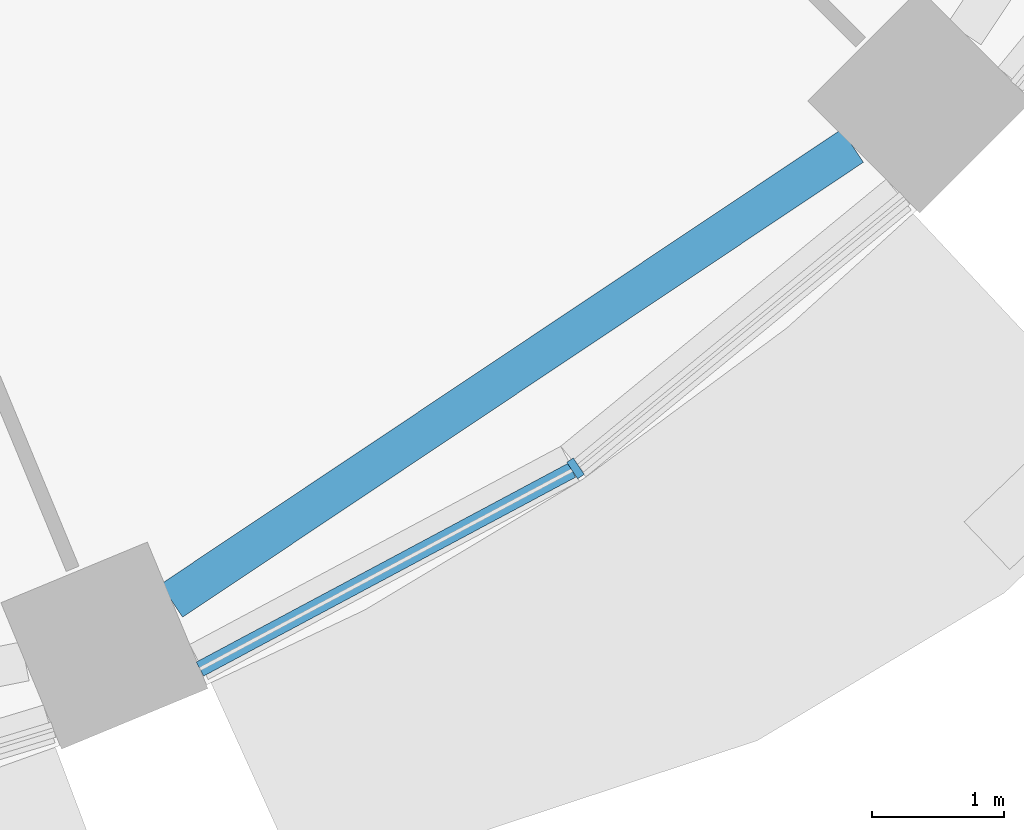
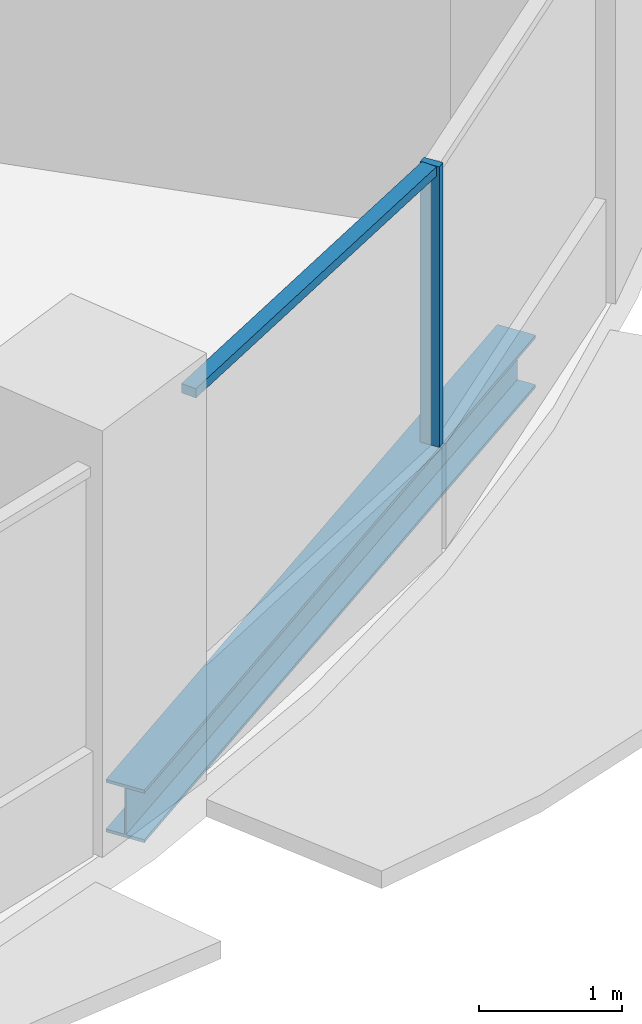
# One storey, part 3 of 15: 2 members, 1 beam, 1 element without a shape of its own.
"""IFC4 building model written with IfcOpenShell, lengths in metres."""

from ifc_helpers import new_model, si_unit, direction, frame, origin, origin_2d, place, context, subcontext, project, spatial, rectangle, i_section, extrude, material, material_profile, profile_set, type_object, element, aggregate, save


model = new_model("IFC4")

# Units and contexts
model_context = context("Model", 3, precision=1e-05, world=origin(), true_north=direction((0.0, 1.0)))
body_context = subcontext(model_context, "Body", "Model", "MODEL_VIEW")
ifc_project = project(units=[si_unit("LENGTHUNIT", "METRE"), si_unit("AREAUNIT", "SQUARE_METRE"), si_unit("VOLUMEUNIT", "CUBIC_METRE"), si_unit("PLANEANGLEUNIT", "RADIAN"), si_unit("MASSUNIT", "GRAM", prefix="KILO")], contexts=[model_context])

# Site, building, storey
site_placement = place(None, origin())
site = spatial("IfcSite", under=ifc_project, at=site_placement, CompositionType="ELEMENT")
building_placement = place(site_placement, origin())
building = spatial("IfcBuilding", under=site, at=building_placement, Name="Polderwave Tower", CompositionType="ELEMENT")
storey_placement = place(building_placement, frame((0.0, 0.0, 48.10009765625)))
storey = spatial("IfcBuildingStorey", under=building, at=storey_placement, Name="L12", CompositionType="ELEMENT", Elevation=48.10009765625)

# Curtain wall, members
ifc_material_1 = material(Name="Aluminium 6063-T6 and glass", Category="aluminium")
curtain_wall_type = type_object("IfcCurtainWallType", Name="Growing floor ribbon glazing wall", PredefinedType="NOTDEFINED", material=ifc_material_1)
curtain_wall_placement = place(storey_placement, origin())
curtain_wall = element("IfcCurtainWall", 1, at=curtain_wall_placement, inside=storey, type_object=curtain_wall_type, Name="CW2 L12 13", PredefinedType="NOTDEFINED")
ifc_material_2 = material(Name="Aluminium 6063-T6", Category="aluminium")
ifc_material_profile_1 = material_profile(ifc_material_2, rectangle(XDim=0.14990234375, YDim=0.06005859375, at=origin_2d()), Name="AL 60x150")
ifc_profile_set_1 = profile_set([ifc_material_profile_1], Name="Aluminium 6063-T6")
member_type_1 = type_object("IfcMemberType", Name="Growing floor ribbon glazing mullion 60x150", PredefinedType="MULLION", material=ifc_profile_set_1)
member_1_placement = place(storey_placement, frame((10.85009765625, -16.239013671875, 0.89990234375), z_axis=(0.0, 0.0, 1.0), x_axis=(-0.555576037759, 0.83146573367, 0.0)))
member_1 = element("IfcMember", 2, at=member_1_placement, type_object=member_type_1, Name="CW2 mullion 1", PredefinedType="MULLION", context=body_context, shape_type="SweptSolid", body=[
    extrude(rectangle(XDim=0.14990234375, YDim=0.06005859375, at=origin_2d()), origin(), (0.0, 0.0, 1.0), 2.39990234375),
])
ifc_material_profile_2 = material_profile(ifc_material_2, rectangle(XDim=0.1201171875, YDim=0.080078125, at=origin_2d()), Name="AL 80x120")
ifc_profile_set_2 = profile_set([ifc_material_profile_2], Name="Aluminium 6063-T6")
member_type_2 = type_object("IfcMemberType", Name="Growing floor ribbon glazing transom 80x120", PredefinedType="USERDEFINED", material=ifc_profile_set_2)
member_2_placement = place(storey_placement, frame((8.006103515625, -17.759033203125, 3.260009765625), z_axis=(0.881929477556, 0.471381370673, 0.0), x_axis=(-0.471381370673, 0.881929477556, 0.0)))
member_2 = element("IfcMember", 3, at=member_2_placement, type_object=member_type_2, Name="CW2 transom 1", ObjectType="TRANSOM", PredefinedType="USERDEFINED", context=body_context, shape_type="SweptSolid", body=[
    extrude(rectangle(XDim=0.1201171875, YDim=0.080078125, at=origin_2d()), origin(), (0.0, 0.0, 1.0), 3.194580078125),
])
aggregate(curtain_wall, [member_1, member_2])

# Beam
ifc_material_3 = material(Name="Steel S355", Category="steel")
ifc_material_profile_3 = material_profile(ifc_material_3, i_section(OverallWidth=0.300048828125, OverallDepth=0.449951171875, WebThickness=0.013916015625, FlangeThickness=0.02587890625, at=origin_2d()), Name="HE 450 B")
ifc_profile_set_3 = profile_set([ifc_material_profile_3], Name="Steel S355")
beam_type = type_object("IfcBeamType", Name="RING BEAM HE 450 B", PredefinedType="BEAM", material=ifc_profile_set_3)
beam_placement = place(storey_placement, frame((7.791015625, -17.241455078125, -0.5751953125), z_axis=(0.831480541779, 0.555553875554, 0.0), x_axis=(-0.555553875554, 0.831480541779, 0.0)))
element("IfcBeam", 4, at=beam_placement, inside=storey, type_object=beam_type, Name="ST-RB-L12-13", PredefinedType="BEAM", context=body_context, shape_type="SweptSolid", body=[
    extrude(i_section(OverallWidth=0.300048828125, OverallDepth=0.449951171875, WebThickness=0.013916015625, FlangeThickness=0.02587890625, at=origin_2d()), origin(), (0.0, 0.0, 1.0), 6.20166015625),
])

save(model, "model.ifc")
